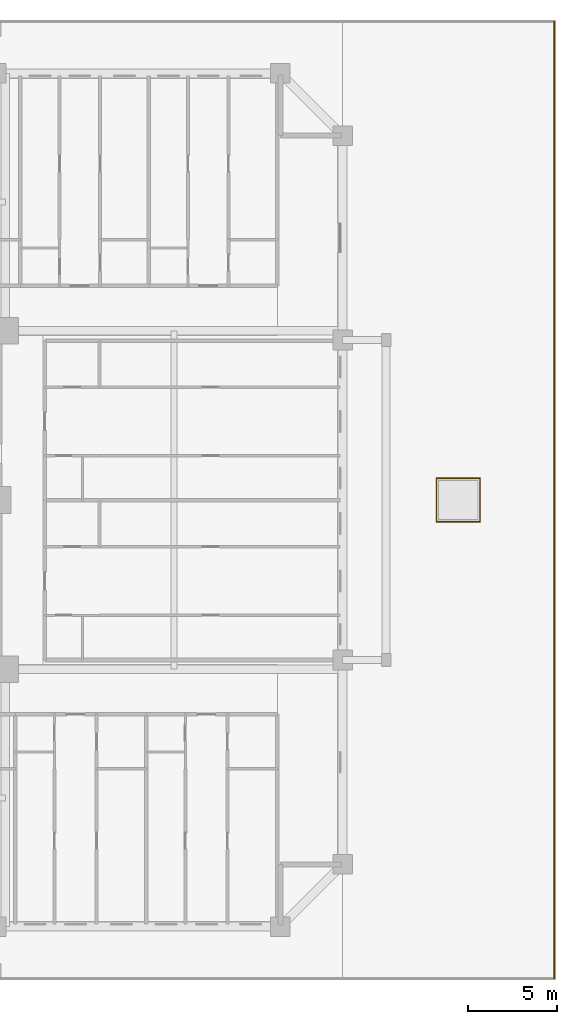
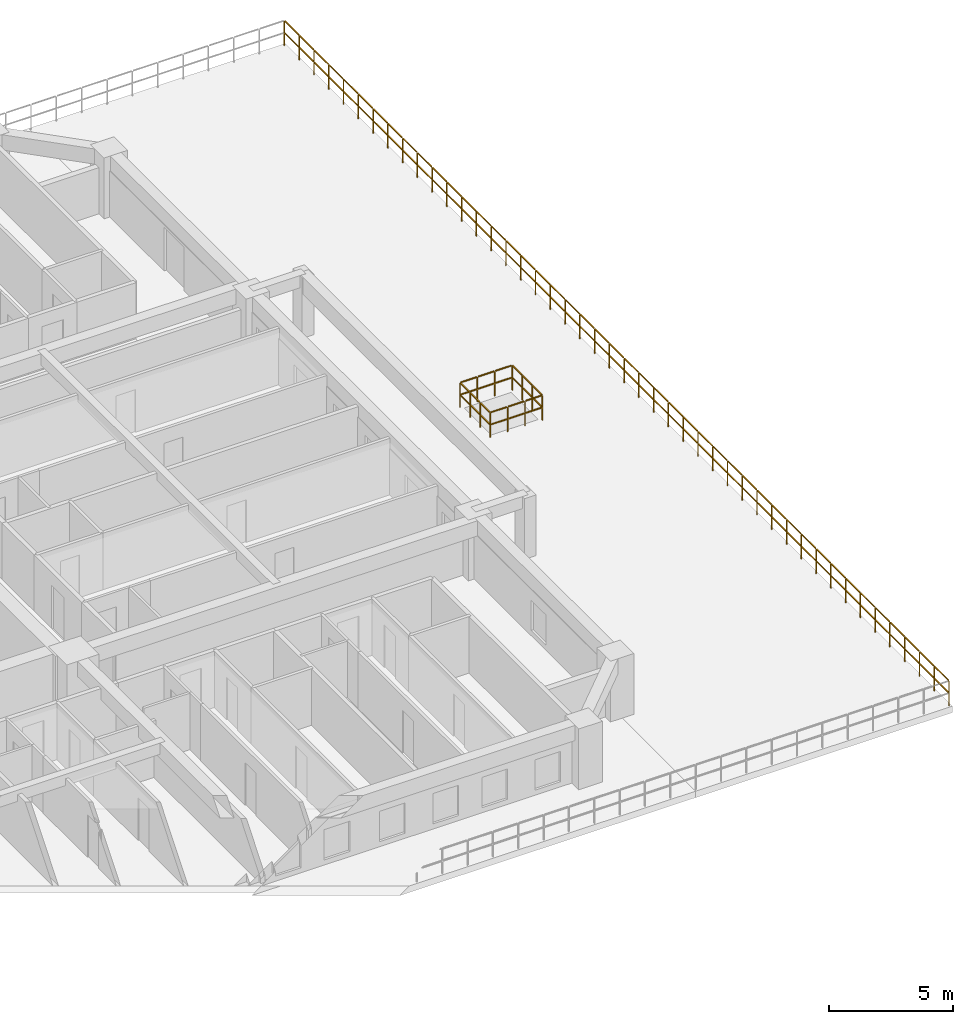
# One storey, part 19 of 19: 5 railings.
"""IFC4 building model written with IfcOpenShell, lengths in metres."""

from ifc_helpers import new_model, si_unit, direction, frame, origin, origin_2d, place, context, subcontext, project, spatial, rectangle, extrude, material, type_object, element, save


model = new_model("IFC4")

# Units and contexts
model_context = context("Model", 3, precision=1e-05, world=origin(), true_north=direction((0.0, 1.0)))
body_context = subcontext(model_context, "Body", "Model", "MODEL_VIEW")
ifc_project = project(units=[si_unit("LENGTHUNIT", "METRE"), si_unit("AREAUNIT", "SQUARE_METRE"), si_unit("VOLUMEUNIT", "CUBIC_METRE"), si_unit("PLANEANGLEUNIT", "RADIAN"), si_unit("MASSUNIT", "GRAM", prefix="KILO")], contexts=[model_context])

# Site, building, storey
site_placement = place(None, origin())
site = spatial("IfcSite", under=ifc_project, at=site_placement, CompositionType="ELEMENT")
building_placement = place(site_placement, origin())
building = spatial("IfcBuilding", under=site, at=building_placement, Name="Saelheon Loggia Tower", CompositionType="ELEMENT")
storey_placement = place(building_placement, frame((0.0, 0.0, 19.39990234375)))
storey = spatial("IfcBuildingStorey", under=building, at=storey_placement, Name="L05", CompositionType="ELEMENT", Elevation=19.39990234375)

# Railings
ifc_material = material(Name="Stainless Steel 316L Post and Laminated Glass Guardrail", Category="steel")
railing_type = type_object("IfcRailingType", Name="Guard_Terrace_1250", PredefinedType="GUARDRAIL", material=ifc_material)
railing_1_placement = place(storey_placement, frame((75.89990234375, 0.10009765625, 0.0)))
element("IfcRailing", 1, at=railing_1_placement, inside=storey, type_object=railing_type, Name="L05 Raised Garden East Perimeter Guardrail", PredefinedType="GUARDRAIL", context=body_context, shape_type="SweptSolid", body=[
    extrude(rectangle(XDim=0.048095703125, YDim=0.048095703125, at=origin_2d()), frame((0.0, 0.033203125, 1.22607421875), z_axis=(0.0, 1.0, 0.0), x_axis=(-1.0, 0.0, 0.0)), (0.0, 0.0, 1.0), 1.129150390625),
    extrude(rectangle(XDim=0.048095703125, YDim=0.048095703125, at=origin_2d()), frame((0.0, 0.033203125, 0.625), z_axis=(0.0, 1.0, 0.0), x_axis=(-1.0, 0.0, 0.0)), (0.0, 0.0, 1.0), 1.129150390625),
    extrude(rectangle(XDim=0.048095703125, YDim=0.048095703125, at=origin_2d()), frame((0.0, 1.228759765625, 1.22607421875), z_axis=(0.0, 1.0, 0.0), x_axis=(-1.0, 0.0, 0.0)), (0.0, 0.0, 1.0), 1.129150390625),
    extrude(rectangle(XDim=0.048095703125, YDim=0.048095703125, at=origin_2d()), frame((0.0, 1.228759765625, 0.625), z_axis=(0.0, 1.0, 0.0), x_axis=(-1.0, 0.0, 0.0)), (0.0, 0.0, 1.0), 1.129150390625),
    extrude(rectangle(XDim=0.048095703125, YDim=0.048095703125, at=origin_2d()), frame((0.0, 2.42431640625, 1.22607421875), z_axis=(0.0, 1.0, 0.0), x_axis=(-1.0, 0.0, 0.0)), (0.0, 0.0, 1.0), 1.129150390625),
    extrude(rectangle(XDim=0.048095703125, YDim=0.048095703125, at=origin_2d()), frame((0.0, 2.42431640625, 0.625), z_axis=(0.0, 1.0, 0.0), x_axis=(-1.0, 0.0, 0.0)), (0.0, 0.0, 1.0), 1.129150390625),
    extrude(rectangle(XDim=0.048095703125, YDim=0.048095703125, at=origin_2d()), frame((0.0, 3.619873046875, 1.22607421875), z_axis=(0.0, 1.0, 0.0), x_axis=(-1.0, 0.0, 0.0)), (0.0, 0.0, 1.0), 1.129150390625),
    extrude(rectangle(XDim=0.048095703125, YDim=0.048095703125, at=origin_2d()), frame((0.0, 3.619873046875, 0.625), z_axis=(0.0, 1.0, 0.0), x_axis=(-1.0, 0.0, 0.0)), (0.0, 0.0, 1.0), 1.129150390625),
    extrude(rectangle(XDim=0.048095703125, YDim=0.048095703125, at=origin_2d()), frame((0.0, 4.8154296875, 1.22607421875), z_axis=(0.0, 1.0, 0.0), x_axis=(-1.0, 0.0, 0.0)), (0.0, 0.0, 1.0), 1.129150390625),
    extrude(rectangle(XDim=0.048095703125, YDim=0.048095703125, at=origin_2d()), frame((0.0, 4.8154296875, 0.625), z_axis=(0.0, 1.0, 0.0), x_axis=(-1.0, 0.0, 0.0)), (0.0, 0.0, 1.0), 1.129150390625),
    extrude(rectangle(XDim=0.048095703125, YDim=0.048095703125, at=origin_2d()), frame((0.0, 6.010986328125, 1.22607421875), z_axis=(0.0, 1.0, 0.0), x_axis=(-1.0, 0.0, 0.0)), (0.0, 0.0, 1.0), 1.129150390625),
    extrude(rectangle(XDim=0.048095703125, YDim=0.048095703125, at=origin_2d()), frame((0.0, 6.010986328125, 0.625), z_axis=(0.0, 1.0, 0.0), x_axis=(-1.0, 0.0, 0.0)), (0.0, 0.0, 1.0), 1.129150390625),
    extrude(rectangle(XDim=0.048095703125, YDim=0.048095703125, at=origin_2d()), frame((0.0, 7.20654296875, 1.22607421875), z_axis=(0.0, 1.0, 0.0), x_axis=(-1.0, 0.0, 0.0)), (0.0, 0.0, 1.0), 1.129150390625),
    extrude(rectangle(XDim=0.048095703125, YDim=0.048095703125, at=origin_2d()), frame((0.0, 7.20654296875, 0.625), z_axis=(0.0, 1.0, 0.0), x_axis=(-1.0, 0.0, 0.0)), (0.0, 0.0, 1.0), 1.129150390625),
    extrude(rectangle(XDim=0.048095703125, YDim=0.048095703125, at=origin_2d()), frame((0.0, 8.402099609375, 1.22607421875), z_axis=(0.0, 1.0, 0.0), x_axis=(-1.0, 0.0, 0.0)), (0.0, 0.0, 1.0), 1.129150390625),
    extrude(rectangle(XDim=0.048095703125, YDim=0.048095703125, at=origin_2d()), frame((0.0, 8.402099609375, 0.625), z_axis=(0.0, 1.0, 0.0), x_axis=(-1.0, 0.0, 0.0)), (0.0, 0.0, 1.0), 1.129150390625),
    extrude(rectangle(XDim=0.048095703125, YDim=0.048095703125, at=origin_2d()), frame((0.0, 9.59765625, 1.22607421875), z_axis=(0.0, 1.0, 0.0), x_axis=(-1.0, 0.0, 0.0)), (0.0, 0.0, 1.0), 1.129150390625),
    extrude(rectangle(XDim=0.048095703125, YDim=0.048095703125, at=origin_2d()), frame((0.0, 9.59765625, 0.625), z_axis=(0.0, 1.0, 0.0), x_axis=(-1.0, 0.0, 0.0)), (0.0, 0.0, 1.0), 1.129150390625),
    extrude(rectangle(XDim=0.048095703125, YDim=0.048095703125, at=origin_2d()), frame((0.0, 10.793212890625, 1.22607421875), z_axis=(0.0, 1.0, 0.0), x_axis=(-1.0, 0.0, 0.0)), (0.0, 0.0, 1.0), 1.129150390625),
    extrude(rectangle(XDim=0.048095703125, YDim=0.048095703125, at=origin_2d()), frame((0.0, 10.793212890625, 0.625), z_axis=(0.0, 1.0, 0.0), x_axis=(-1.0, 0.0, 0.0)), (0.0, 0.0, 1.0), 1.129150390625),
    extrude(rectangle(XDim=0.048095703125, YDim=0.048095703125, at=origin_2d()), frame((0.0, 11.98876953125, 1.22607421875), z_axis=(0.0, 1.0, 0.0), x_axis=(-1.0, 0.0, 0.0)), (0.0, 0.0, 1.0), 1.129150390625),
    extrude(rectangle(XDim=0.048095703125, YDim=0.048095703125, at=origin_2d()), frame((0.0, 11.98876953125, 0.625), z_axis=(0.0, 1.0, 0.0), x_axis=(-1.0, 0.0, 0.0)), (0.0, 0.0, 1.0), 1.129150390625),
    extrude(rectangle(XDim=0.048095703125, YDim=0.048095703125, at=origin_2d()), frame((0.0, 13.184326171875, 1.22607421875), z_axis=(0.0, 1.0, 0.0), x_axis=(-1.0, 0.0, 0.0)), (0.0, 0.0, 1.0), 1.129150390625),
    extrude(rectangle(XDim=0.048095703125, YDim=0.048095703125, at=origin_2d()), frame((0.0, 13.184326171875, 0.625), z_axis=(0.0, 1.0, 0.0), x_axis=(-1.0, 0.0, 0.0)), (0.0, 0.0, 1.0), 1.129150390625),
    extrude(rectangle(XDim=0.048095703125, YDim=0.048095703125, at=origin_2d()), frame((0.0, 14.3798828125, 1.22607421875), z_axis=(0.0, 1.0, 0.0), x_axis=(-1.0, 0.0, 0.0)), (0.0, 0.0, 1.0), 1.129150390625),
    extrude(rectangle(XDim=0.048095703125, YDim=0.048095703125, at=origin_2d()), frame((0.0, 14.3798828125, 0.625), z_axis=(0.0, 1.0, 0.0), x_axis=(-1.0, 0.0, 0.0)), (0.0, 0.0, 1.0), 1.129150390625),
    extrude(rectangle(XDim=0.048095703125, YDim=0.048095703125, at=origin_2d()), frame((0.0, 15.575439453125, 1.22607421875), z_axis=(0.0, 1.0, 0.0), x_axis=(-1.0, 0.0, 0.0)), (0.0, 0.0, 1.0), 1.129150390625),
    extrude(rectangle(XDim=0.048095703125, YDim=0.048095703125, at=origin_2d()), frame((0.0, 15.575439453125, 0.625), z_axis=(0.0, 1.0, 0.0), x_axis=(-1.0, 0.0, 0.0)), (0.0, 0.0, 1.0), 1.129150390625),
    extrude(rectangle(XDim=0.048095703125, YDim=0.048095703125, at=origin_2d()), frame((0.0, 16.77099609375, 1.22607421875), z_axis=(0.0, 1.0, 0.0), x_axis=(-1.0, 0.0, 0.0)), (0.0, 0.0, 1.0), 1.129150390625),
    extrude(rectangle(XDim=0.048095703125, YDim=0.048095703125, at=origin_2d()), frame((0.0, 16.77099609375, 0.625), z_axis=(0.0, 1.0, 0.0), x_axis=(-1.0, 0.0, 0.0)), (0.0, 0.0, 1.0), 1.129150390625),
    extrude(rectangle(XDim=0.048095703125, YDim=0.048095703125, at=origin_2d()), frame((0.0, 17.966552734375, 1.22607421875), z_axis=(0.0, 1.0, 0.0), x_axis=(-1.0, 0.0, 0.0)), (0.0, 0.0, 1.0), 1.129150390625),
    extrude(rectangle(XDim=0.048095703125, YDim=0.048095703125, at=origin_2d()), frame((0.0, 17.966552734375, 0.625), z_axis=(0.0, 1.0, 0.0), x_axis=(-1.0, 0.0, 0.0)), (0.0, 0.0, 1.0), 1.129150390625),
    extrude(rectangle(XDim=0.048095703125, YDim=0.048095703125, at=origin_2d()), frame((0.0, 19.162109375, 1.22607421875), z_axis=(0.0, 1.0, 0.0), x_axis=(-1.0, 0.0, 0.0)), (0.0, 0.0, 1.0), 1.129150390625),
    extrude(rectangle(XDim=0.048095703125, YDim=0.048095703125, at=origin_2d()), frame((0.0, 19.162109375, 0.625), z_axis=(0.0, 1.0, 0.0), x_axis=(-1.0, 0.0, 0.0)), (0.0, 0.0, 1.0), 1.129150390625),
    extrude(rectangle(XDim=0.048095703125, YDim=0.048095703125, at=origin_2d()), frame((0.0, 20.357666015625, 1.22607421875), z_axis=(0.0, 1.0, 0.0), x_axis=(-1.0, 0.0, 0.0)), (0.0, 0.0, 1.0), 1.129150390625),
    extrude(rectangle(XDim=0.048095703125, YDim=0.048095703125, at=origin_2d()), frame((0.0, 20.357666015625, 0.625), z_axis=(0.0, 1.0, 0.0), x_axis=(-1.0, 0.0, 0.0)), (0.0, 0.0, 1.0), 1.129150390625),
    extrude(rectangle(XDim=0.048095703125, YDim=0.048095703125, at=origin_2d()), frame((0.0, 21.55322265625, 1.22607421875), z_axis=(0.0, 1.0, 0.0), x_axis=(-1.0, 0.0, 0.0)), (0.0, 0.0, 1.0), 1.129150390625),
    extrude(rectangle(XDim=0.048095703125, YDim=0.048095703125, at=origin_2d()), frame((0.0, 21.55322265625, 0.625), z_axis=(0.0, 1.0, 0.0), x_axis=(-1.0, 0.0, 0.0)), (0.0, 0.0, 1.0), 1.129150390625),
    extrude(rectangle(XDim=0.048095703125, YDim=0.048095703125, at=origin_2d()), frame((0.0, 22.748779296875, 1.22607421875), z_axis=(0.0, 1.0, 0.0), x_axis=(-1.0, 0.0, 0.0)), (0.0, 0.0, 1.0), 1.129150390625),
    extrude(rectangle(XDim=0.048095703125, YDim=0.048095703125, at=origin_2d()), frame((0.0, 22.748779296875, 0.625), z_axis=(0.0, 1.0, 0.0), x_axis=(-1.0, 0.0, 0.0)), (0.0, 0.0, 1.0), 1.129150390625),
    extrude(rectangle(XDim=0.048095703125, YDim=0.048095703125, at=origin_2d()), frame((0.0, 23.9443359375, 1.22607421875), z_axis=(0.0, 1.0, 0.0), x_axis=(-1.0, 0.0, 0.0)), (0.0, 0.0, 1.0), 1.129150390625),
    extrude(rectangle(XDim=0.048095703125, YDim=0.048095703125, at=origin_2d()), frame((0.0, 23.9443359375, 0.625), z_axis=(0.0, 1.0, 0.0), x_axis=(-1.0, 0.0, 0.0)), (0.0, 0.0, 1.0), 1.129150390625),
    extrude(rectangle(XDim=0.048095703125, YDim=0.048095703125, at=origin_2d()), frame((0.0, 25.139892578125, 1.22607421875), z_axis=(0.0, 1.0, 0.0), x_axis=(-1.0, 0.0, 0.0)), (0.0, 0.0, 1.0), 1.129150390625),
    extrude(rectangle(XDim=0.048095703125, YDim=0.048095703125, at=origin_2d()), frame((0.0, 25.139892578125, 0.625), z_axis=(0.0, 1.0, 0.0), x_axis=(-1.0, 0.0, 0.0)), (0.0, 0.0, 1.0), 1.129150390625),
    extrude(rectangle(XDim=0.048095703125, YDim=0.048095703125, at=origin_2d()), frame((0.0, 26.33544921875, 1.22607421875), z_axis=(0.0, 1.0, 0.0), x_axis=(-1.0, 0.0, 0.0)), (0.0, 0.0, 1.0), 1.129150390625),
    extrude(rectangle(XDim=0.048095703125, YDim=0.048095703125, at=origin_2d()), frame((0.0, 26.33544921875, 0.625), z_axis=(0.0, 1.0, 0.0), x_axis=(-1.0, 0.0, 0.0)), (0.0, 0.0, 1.0), 1.129150390625),
    extrude(rectangle(XDim=0.048095703125, YDim=0.048095703125, at=origin_2d()), frame((0.0, 27.531005859375, 1.22607421875), z_axis=(0.0, 1.0, 0.0), x_axis=(-1.0, 0.0, 0.0)), (0.0, 0.0, 1.0), 1.129150390625),
    extrude(rectangle(XDim=0.048095703125, YDim=0.048095703125, at=origin_2d()), frame((0.0, 27.531005859375, 0.625), z_axis=(0.0, 1.0, 0.0), x_axis=(-1.0, 0.0, 0.0)), (0.0, 0.0, 1.0), 1.129150390625),
    extrude(rectangle(XDim=0.048095703125, YDim=0.048095703125, at=origin_2d()), frame((0.0, 28.7265625, 1.22607421875), z_axis=(0.0, 1.0, 0.0), x_axis=(-1.0, 0.0, 0.0)), (0.0, 0.0, 1.0), 1.129150390625),
    extrude(rectangle(XDim=0.048095703125, YDim=0.048095703125, at=origin_2d()), frame((0.0, 28.7265625, 0.625), z_axis=(0.0, 1.0, 0.0), x_axis=(-1.0, 0.0, 0.0)), (0.0, 0.0, 1.0), 1.129150390625),
    extrude(rectangle(XDim=0.048095703125, YDim=0.048095703125, at=origin_2d()), frame((0.0, 29.922119140625, 1.22607421875), z_axis=(0.0, 1.0, 0.0), x_axis=(-1.0, 0.0, 0.0)), (0.0, 0.0, 1.0), 1.129150390625),
    extrude(rectangle(XDim=0.048095703125, YDim=0.048095703125, at=origin_2d()), frame((0.0, 29.922119140625, 0.625), z_axis=(0.0, 1.0, 0.0), x_axis=(-1.0, 0.0, 0.0)), (0.0, 0.0, 1.0), 1.129150390625),
    extrude(rectangle(XDim=0.048095703125, YDim=0.048095703125, at=origin_2d()), frame((0.0, 31.11767578125, 1.22607421875), z_axis=(0.0, 1.0, 0.0), x_axis=(-1.0, 0.0, 0.0)), (0.0, 0.0, 1.0), 1.129150390625),
    extrude(rectangle(XDim=0.048095703125, YDim=0.048095703125, at=origin_2d()), frame((0.0, 31.11767578125, 0.625), z_axis=(0.0, 1.0, 0.0), x_axis=(-1.0, 0.0, 0.0)), (0.0, 0.0, 1.0), 1.129150390625),
    extrude(rectangle(XDim=0.048095703125, YDim=0.048095703125, at=origin_2d()), frame((0.0, 32.313232421875, 1.22607421875), z_axis=(0.0, 1.0, 0.0), x_axis=(-1.0, 0.0, 0.0)), (0.0, 0.0, 1.0), 1.129150390625),
    extrude(rectangle(XDim=0.048095703125, YDim=0.048095703125, at=origin_2d()), frame((0.0, 32.313232421875, 0.625), z_axis=(0.0, 1.0, 0.0), x_axis=(-1.0, 0.0, 0.0)), (0.0, 0.0, 1.0), 1.129150390625),
    extrude(rectangle(XDim=0.048095703125, YDim=0.048095703125, at=origin_2d()), frame((0.0, 33.5087890625, 1.22607421875), z_axis=(0.0, 1.0, 0.0), x_axis=(-1.0, 0.0, 0.0)), (0.0, 0.0, 1.0), 1.129150390625),
    extrude(rectangle(XDim=0.048095703125, YDim=0.048095703125, at=origin_2d()), frame((0.0, 33.5087890625, 0.625), z_axis=(0.0, 1.0, 0.0), x_axis=(-1.0, 0.0, 0.0)), (0.0, 0.0, 1.0), 1.129150390625),
    extrude(rectangle(XDim=0.048095703125, YDim=0.048095703125, at=origin_2d()), frame((0.0, 34.7041015625, 1.22607421875), z_axis=(0.0, 1.0, 0.0), x_axis=(-1.0, 0.0, 0.0)), (0.0, 0.0, 1.0), 1.129150390625),
    extrude(rectangle(XDim=0.048095703125, YDim=0.048095703125, at=origin_2d()), frame((0.0, 34.7041015625, 0.625), z_axis=(0.0, 1.0, 0.0), x_axis=(-1.0, 0.0, 0.0)), (0.0, 0.0, 1.0), 1.129150390625),
    extrude(rectangle(XDim=0.048095703125, YDim=0.048095703125, at=origin_2d()), frame((0.0, 35.899658203125, 1.22607421875), z_axis=(0.0, 1.0, 0.0), x_axis=(-1.0, 0.0, 0.0)), (0.0, 0.0, 1.0), 1.129150390625),
    extrude(rectangle(XDim=0.048095703125, YDim=0.048095703125, at=origin_2d()), frame((0.0, 35.899658203125, 0.625), z_axis=(0.0, 1.0, 0.0), x_axis=(-1.0, 0.0, 0.0)), (0.0, 0.0, 1.0), 1.129150390625),
    extrude(rectangle(XDim=0.048095703125, YDim=0.048095703125, at=origin_2d()), frame((0.0, 37.09521484375, 1.22607421875), z_axis=(0.0, 1.0, 0.0), x_axis=(-1.0, 0.0, 0.0)), (0.0, 0.0, 1.0), 1.129150390625),
    extrude(rectangle(XDim=0.048095703125, YDim=0.048095703125, at=origin_2d()), frame((0.0, 37.09521484375, 0.625), z_axis=(0.0, 1.0, 0.0), x_axis=(-1.0, 0.0, 0.0)), (0.0, 0.0, 1.0), 1.129150390625),
    extrude(rectangle(XDim=0.048095703125, YDim=0.048095703125, at=origin_2d()), frame((0.0, 38.290771484375, 1.22607421875), z_axis=(0.0, 1.0, 0.0), x_axis=(-1.0, 0.0, 0.0)), (0.0, 0.0, 1.0), 1.129150390625),
    extrude(rectangle(XDim=0.048095703125, YDim=0.048095703125, at=origin_2d()), frame((0.0, 38.290771484375, 0.625), z_axis=(0.0, 1.0, 0.0), x_axis=(-1.0, 0.0, 0.0)), (0.0, 0.0, 1.0), 1.129150390625),
    extrude(rectangle(XDim=0.048095703125, YDim=0.048095703125, at=origin_2d()), frame((0.0, 39.486328125, 1.22607421875), z_axis=(0.0, 1.0, 0.0), x_axis=(-1.0, 0.0, 0.0)), (0.0, 0.0, 1.0), 1.129150390625),
    extrude(rectangle(XDim=0.048095703125, YDim=0.048095703125, at=origin_2d()), frame((0.0, 39.486328125, 0.625), z_axis=(0.0, 1.0, 0.0), x_axis=(-1.0, 0.0, 0.0)), (0.0, 0.0, 1.0), 1.129150390625),
    extrude(rectangle(XDim=0.048095703125, YDim=0.048095703125, at=origin_2d()), frame((0.0, 40.681884765625, 1.22607421875), z_axis=(0.0, 1.0, 0.0), x_axis=(-1.0, 0.0, 0.0)), (0.0, 0.0, 1.0), 1.129150390625),
    extrude(rectangle(XDim=0.048095703125, YDim=0.048095703125, at=origin_2d()), frame((0.0, 40.681884765625, 0.625), z_axis=(0.0, 1.0, 0.0), x_axis=(-1.0, 0.0, 0.0)), (0.0, 0.0, 1.0), 1.129150390625),
    extrude(rectangle(XDim=0.048095703125, YDim=0.048095703125, at=origin_2d()), frame((0.0, 41.87744140625, 1.22607421875), z_axis=(0.0, 1.0, 0.0), x_axis=(-1.0, 0.0, 0.0)), (0.0, 0.0, 1.0), 1.129150390625),
    extrude(rectangle(XDim=0.048095703125, YDim=0.048095703125, at=origin_2d()), frame((0.0, 41.87744140625, 0.625), z_axis=(0.0, 1.0, 0.0), x_axis=(-1.0, 0.0, 0.0)), (0.0, 0.0, 1.0), 1.129150390625),
    extrude(rectangle(XDim=0.048095703125, YDim=0.048095703125, at=origin_2d()), frame((0.0, 43.072998046875, 1.22607421875), z_axis=(0.0, 1.0, 0.0), x_axis=(-1.0, 0.0, 0.0)), (0.0, 0.0, 1.0), 1.129150390625),
    extrude(rectangle(XDim=0.048095703125, YDim=0.048095703125, at=origin_2d()), frame((0.0, 43.072998046875, 0.625), z_axis=(0.0, 1.0, 0.0), x_axis=(-1.0, 0.0, 0.0)), (0.0, 0.0, 1.0), 1.129150390625),
    extrude(rectangle(XDim=0.048095703125, YDim=0.048095703125, at=origin_2d()), frame((0.0, 44.2685546875, 1.22607421875), z_axis=(0.0, 1.0, 0.0), x_axis=(-1.0, 0.0, 0.0)), (0.0, 0.0, 1.0), 1.129150390625),
    extrude(rectangle(XDim=0.048095703125, YDim=0.048095703125, at=origin_2d()), frame((0.0, 44.2685546875, 0.625), z_axis=(0.0, 1.0, 0.0), x_axis=(-1.0, 0.0, 0.0)), (0.0, 0.0, 1.0), 1.129150390625),
    extrude(rectangle(XDim=0.048095703125, YDim=0.048095703125, at=origin_2d()), frame((0.0, 45.464111328125, 1.22607421875), z_axis=(0.0, 1.0, 0.0), x_axis=(-1.0, 0.0, 0.0)), (0.0, 0.0, 1.0), 1.129150390625),
    extrude(rectangle(XDim=0.048095703125, YDim=0.048095703125, at=origin_2d()), frame((0.0, 45.464111328125, 0.625), z_axis=(0.0, 1.0, 0.0), x_axis=(-1.0, 0.0, 0.0)), (0.0, 0.0, 1.0), 1.129150390625),
    extrude(rectangle(XDim=0.048095703125, YDim=0.048095703125, at=origin_2d()), frame((0.0, 46.65966796875, 1.22607421875), z_axis=(0.0, 1.0, 0.0), x_axis=(-1.0, 0.0, 0.0)), (0.0, 0.0, 1.0), 1.129150390625),
    extrude(rectangle(XDim=0.048095703125, YDim=0.048095703125, at=origin_2d()), frame((0.0, 46.65966796875, 0.625), z_axis=(0.0, 1.0, 0.0), x_axis=(-1.0, 0.0, 0.0)), (0.0, 0.0, 1.0), 1.129150390625),
    extrude(rectangle(XDim=0.048095703125, YDim=0.048095703125, at=origin_2d()), frame((0.0, 47.855224609375, 1.22607421875), z_axis=(0.0, 1.0, 0.0), x_axis=(-1.0, 0.0, 0.0)), (0.0, 0.0, 1.0), 1.129150390625),
    extrude(rectangle(XDim=0.048095703125, YDim=0.048095703125, at=origin_2d()), frame((0.0, 47.855224609375, 0.625), z_axis=(0.0, 1.0, 0.0), x_axis=(-1.0, 0.0, 0.0)), (0.0, 0.0, 1.0), 1.129150390625),
    extrude(rectangle(XDim=0.048095703125, YDim=0.048095703125, at=origin_2d()), frame((0.0, 49.05078125, 1.22607421875), z_axis=(0.0, 1.0, 0.0), x_axis=(-1.0, 0.0, 0.0)), (0.0, 0.0, 1.0), 1.129150390625),
    extrude(rectangle(XDim=0.048095703125, YDim=0.048095703125, at=origin_2d()), frame((0.0, 49.05078125, 0.625), z_axis=(0.0, 1.0, 0.0), x_axis=(-1.0, 0.0, 0.0)), (0.0, 0.0, 1.0), 1.129150390625),
    extrude(rectangle(XDim=0.048095703125, YDim=0.048095703125, at=origin_2d()), frame((0.0, 50.246337890625, 1.22607421875), z_axis=(0.0, 1.0, 0.0), x_axis=(-1.0, 0.0, 0.0)), (0.0, 0.0, 1.0), 1.129150390625),
    extrude(rectangle(XDim=0.048095703125, YDim=0.048095703125, at=origin_2d()), frame((0.0, 50.246337890625, 0.625), z_axis=(0.0, 1.0, 0.0), x_axis=(-1.0, 0.0, 0.0)), (0.0, 0.0, 1.0), 1.129150390625),
    extrude(rectangle(XDim=0.048095703125, YDim=0.048095703125, at=origin_2d()), frame((0.0, 51.44189453125, 1.22607421875), z_axis=(0.0, 1.0, 0.0), x_axis=(-1.0, 0.0, 0.0)), (0.0, 0.0, 1.0), 1.129150390625),
    extrude(rectangle(XDim=0.048095703125, YDim=0.048095703125, at=origin_2d()), frame((0.0, 51.44189453125, 0.625), z_axis=(0.0, 1.0, 0.0), x_axis=(-1.0, 0.0, 0.0)), (0.0, 0.0, 1.0), 1.129150390625),
    extrude(rectangle(XDim=0.048095703125, YDim=0.048095703125, at=origin_2d()), frame((0.0, 52.637451171875, 1.22607421875), z_axis=(0.0, 1.0, 0.0), x_axis=(-1.0, 0.0, 0.0)), (0.0, 0.0, 1.0), 1.129150390625),
    extrude(rectangle(XDim=0.048095703125, YDim=0.048095703125, at=origin_2d()), frame((0.0, 52.637451171875, 0.625), z_axis=(0.0, 1.0, 0.0), x_axis=(-1.0, 0.0, 0.0)), (0.0, 0.0, 1.0), 1.129150390625),
    extrude(rectangle(XDim=0.0419921875, YDim=0.0419921875, at=origin_2d()), origin(), (0.0, 0.0, 1.0), 1.197998046875),
    extrude(rectangle(XDim=0.0419921875, YDim=0.0419921875, at=origin_2d()), frame((0.0, 1.195556640625, 0.0)), (0.0, 0.0, 1.0), 1.197998046875),
    extrude(rectangle(XDim=0.0419921875, YDim=0.0419921875, at=origin_2d()), frame((0.0, 2.39111328125, 0.0)), (0.0, 0.0, 1.0), 1.197998046875),
    extrude(rectangle(XDim=0.0419921875, YDim=0.0419921875, at=origin_2d()), frame((0.0, 3.586669921875, 0.0)), (0.0, 0.0, 1.0), 1.197998046875),
    extrude(rectangle(XDim=0.0419921875, YDim=0.0419921875, at=origin_2d()), frame((0.0, 4.7822265625, 0.0)), (0.0, 0.0, 1.0), 1.197998046875),
    extrude(rectangle(XDim=0.0419921875, YDim=0.0419921875, at=origin_2d()), frame((0.0, 5.977783203125, 0.0)), (0.0, 0.0, 1.0), 1.197998046875),
    extrude(rectangle(XDim=0.0419921875, YDim=0.0419921875, at=origin_2d()), frame((0.0, 7.17333984375, 0.0)), (0.0, 0.0, 1.0), 1.197998046875),
    extrude(rectangle(XDim=0.0419921875, YDim=0.0419921875, at=origin_2d()), frame((0.0, 8.368896484375, 0.0)), (0.0, 0.0, 1.0), 1.197998046875),
    extrude(rectangle(XDim=0.0419921875, YDim=0.0419921875, at=origin_2d()), frame((0.0, 9.564453125, 0.0)), (0.0, 0.0, 1.0), 1.197998046875),
    extrude(rectangle(XDim=0.0419921875, YDim=0.0419921875, at=origin_2d()), frame((0.0, 10.760009765625, 0.0)), (0.0, 0.0, 1.0), 1.197998046875),
    extrude(rectangle(XDim=0.0419921875, YDim=0.0419921875, at=origin_2d()), frame((0.0, 11.95556640625, 0.0)), (0.0, 0.0, 1.0), 1.197998046875),
    extrude(rectangle(XDim=0.0419921875, YDim=0.0419921875, at=origin_2d()), frame((0.0, 13.151123046875, 0.0)), (0.0, 0.0, 1.0), 1.197998046875),
    extrude(rectangle(XDim=0.0419921875, YDim=0.0419921875, at=origin_2d()), frame((0.0, 14.3466796875, 0.0)), (0.0, 0.0, 1.0), 1.197998046875),
    extrude(rectangle(XDim=0.0419921875, YDim=0.0419921875, at=origin_2d()), frame((0.0, 15.542236328125, 0.0)), (0.0, 0.0, 1.0), 1.197998046875),
    extrude(rectangle(XDim=0.0419921875, YDim=0.0419921875, at=origin_2d()), frame((0.0, 16.73779296875, 0.0)), (0.0, 0.0, 1.0), 1.197998046875),
    extrude(rectangle(XDim=0.0419921875, YDim=0.0419921875, at=origin_2d()), frame((0.0, 17.933349609375, 0.0)), (0.0, 0.0, 1.0), 1.197998046875),
    extrude(rectangle(XDim=0.0419921875, YDim=0.0419921875, at=origin_2d()), frame((0.0, 19.12890625, 0.0)), (0.0, 0.0, 1.0), 1.197998046875),
    extrude(rectangle(XDim=0.0419921875, YDim=0.0419921875, at=origin_2d()), frame((0.0, 20.324462890625, 0.0)), (0.0, 0.0, 1.0), 1.197998046875),
    extrude(rectangle(XDim=0.0419921875, YDim=0.0419921875, at=origin_2d()), frame((0.0, 21.52001953125, 0.0)), (0.0, 0.0, 1.0), 1.197998046875),
    extrude(rectangle(XDim=0.0419921875, YDim=0.0419921875, at=origin_2d()), frame((0.0, 22.715576171875, 0.0)), (0.0, 0.0, 1.0), 1.197998046875),
    extrude(rectangle(XDim=0.0419921875, YDim=0.0419921875, at=origin_2d()), frame((0.0, 23.9111328125, 0.0)), (0.0, 0.0, 1.0), 1.197998046875),
    extrude(rectangle(XDim=0.0419921875, YDim=0.0419921875, at=origin_2d()), frame((0.0, 25.106689453125, 0.0)), (0.0, 0.0, 1.0), 1.197998046875),
    extrude(rectangle(XDim=0.0419921875, YDim=0.0419921875, at=origin_2d()), frame((0.0, 26.30224609375, 0.0)), (0.0, 0.0, 1.0), 1.197998046875),
    extrude(rectangle(XDim=0.0419921875, YDim=0.0419921875, at=origin_2d()), frame((0.0, 27.49755859375, 0.0)), (0.0, 0.0, 1.0), 1.197998046875),
    extrude(rectangle(XDim=0.0419921875, YDim=0.0419921875, at=origin_2d()), frame((0.0, 28.693115234375, 0.0)), (0.0, 0.0, 1.0), 1.197998046875),
    extrude(rectangle(XDim=0.0419921875, YDim=0.0419921875, at=origin_2d()), frame((0.0, 29.888671875, 0.0)), (0.0, 0.0, 1.0), 1.197998046875),
    extrude(rectangle(XDim=0.0419921875, YDim=0.0419921875, at=origin_2d()), frame((0.0, 31.084228515625, 0.0)), (0.0, 0.0, 1.0), 1.197998046875),
    extrude(rectangle(XDim=0.0419921875, YDim=0.0419921875, at=origin_2d()), frame((0.0, 32.27978515625, 0.0)), (0.0, 0.0, 1.0), 1.197998046875),
    extrude(rectangle(XDim=0.0419921875, YDim=0.0419921875, at=origin_2d()), frame((0.0, 33.475341796875, 0.0)), (0.0, 0.0, 1.0), 1.197998046875),
    extrude(rectangle(XDim=0.0419921875, YDim=0.0419921875, at=origin_2d()), frame((0.0, 34.6708984375, 0.0)), (0.0, 0.0, 1.0), 1.197998046875),
    extrude(rectangle(XDim=0.0419921875, YDim=0.0419921875, at=origin_2d()), frame((0.0, 35.866455078125, 0.0)), (0.0, 0.0, 1.0), 1.197998046875),
    extrude(rectangle(XDim=0.0419921875, YDim=0.0419921875, at=origin_2d()), frame((0.0, 37.06201171875, 0.0)), (0.0, 0.0, 1.0), 1.197998046875),
    extrude(rectangle(XDim=0.0419921875, YDim=0.0419921875, at=origin_2d()), frame((0.0, 38.257568359375, 0.0)), (0.0, 0.0, 1.0), 1.197998046875),
    extrude(rectangle(XDim=0.0419921875, YDim=0.0419921875, at=origin_2d()), frame((0.0, 39.453125, 0.0)), (0.0, 0.0, 1.0), 1.197998046875),
    extrude(rectangle(XDim=0.0419921875, YDim=0.0419921875, at=origin_2d()), frame((0.0, 40.648681640625, 0.0)), (0.0, 0.0, 1.0), 1.197998046875),
    extrude(rectangle(XDim=0.0419921875, YDim=0.0419921875, at=origin_2d()), frame((0.0, 41.84423828125, 0.0)), (0.0, 0.0, 1.0), 1.197998046875),
    extrude(rectangle(XDim=0.0419921875, YDim=0.0419921875, at=origin_2d()), frame((0.0, 43.039794921875, 0.0)), (0.0, 0.0, 1.0), 1.197998046875),
    extrude(rectangle(XDim=0.0419921875, YDim=0.0419921875, at=origin_2d()), frame((0.0, 44.2353515625, 0.0)), (0.0, 0.0, 1.0), 1.197998046875),
    extrude(rectangle(XDim=0.0419921875, YDim=0.0419921875, at=origin_2d()), frame((0.0, 45.430908203125, 0.0)), (0.0, 0.0, 1.0), 1.197998046875),
    extrude(rectangle(XDim=0.0419921875, YDim=0.0419921875, at=origin_2d()), frame((0.0, 46.62646484375, 0.0)), (0.0, 0.0, 1.0), 1.197998046875),
    extrude(rectangle(XDim=0.0419921875, YDim=0.0419921875, at=origin_2d()), frame((0.0, 47.822021484375, 0.0)), (0.0, 0.0, 1.0), 1.197998046875),
    extrude(rectangle(XDim=0.0419921875, YDim=0.0419921875, at=origin_2d()), frame((0.0, 49.017578125, 0.0)), (0.0, 0.0, 1.0), 1.197998046875),
    extrude(rectangle(XDim=0.0419921875, YDim=0.0419921875, at=origin_2d()), frame((0.0, 50.213134765625, 0.0)), (0.0, 0.0, 1.0), 1.197998046875),
    extrude(rectangle(XDim=0.0419921875, YDim=0.0419921875, at=origin_2d()), frame((0.0, 51.40869140625, 0.0)), (0.0, 0.0, 1.0), 1.197998046875),
    extrude(rectangle(XDim=0.0419921875, YDim=0.0419921875, at=origin_2d()), frame((0.0, 52.604248046875, 0.0)), (0.0, 0.0, 1.0), 1.197998046875),
    extrude(rectangle(XDim=0.0419921875, YDim=0.0419921875, at=origin_2d()), frame((0.0, 53.7998046875, 0.0)), (0.0, 0.0, 1.0), 1.197998046875),
])
for number, where, name in (
    (2, (69.280029296875, 25.780029296875, 0.0), "L05 Skylight 2 South Safety Guardrail"),
    (3, (69.280029296875, 28.219970703125, 0.0), "L05 Skylight 2 North Safety Guardrail"),
):
    element("IfcRailing", number, at=place(storey_placement, frame(where)), inside=storey, type_object=railing_type, Name=name, PredefinedType="GUARDRAIL", context=body_context, shape_type="SweptSolid", body=[
        extrude(rectangle(XDim=0.048095703125, YDim=0.048095703125, at=origin_2d()), frame((0.033203125, 0.0, 1.22607421875), z_axis=(1.0, 0.0, 0.0), x_axis=(0.0, 1.0, 0.0)), (0.0, 0.0, 1.0), 0.746826171875),
        extrude(rectangle(XDim=0.048095703125, YDim=0.048095703125, at=origin_2d()), frame((0.033203125, 0.0, 0.625), z_axis=(1.0, 0.0, 0.0), x_axis=(0.0, 1.0, 0.0)), (0.0, 0.0, 1.0), 0.746826171875),
        extrude(rectangle(XDim=0.048095703125, YDim=0.048095703125, at=origin_2d()), frame((0.846435546875, 0.0, 1.22607421875), z_axis=(1.0, 0.0, 0.0), x_axis=(0.0, 1.0, 0.0)), (0.0, 0.0, 1.0), 0.746826171875),
        extrude(rectangle(XDim=0.048095703125, YDim=0.048095703125, at=origin_2d()), frame((0.846435546875, 0.0, 0.625), z_axis=(1.0, 0.0, 0.0), x_axis=(0.0, 1.0, 0.0)), (0.0, 0.0, 1.0), 0.746826171875),
        extrude(rectangle(XDim=0.048095703125, YDim=0.048095703125, at=origin_2d()), frame((1.659912109375, 0.0, 1.22607421875), z_axis=(1.0, 0.0, 0.0), x_axis=(0.0, 1.0, 0.0)), (0.0, 0.0, 1.0), 0.746826171875),
        extrude(rectangle(XDim=0.048095703125, YDim=0.048095703125, at=origin_2d()), frame((1.659912109375, 0.0, 0.625), z_axis=(1.0, 0.0, 0.0), x_axis=(0.0, 1.0, 0.0)), (0.0, 0.0, 1.0), 0.746826171875),
        extrude(rectangle(XDim=0.0419921875, YDim=0.0419921875, at=origin_2d()), origin(), (0.0, 0.0, 1.0), 1.197998046875),
        extrude(rectangle(XDim=0.0419921875, YDim=0.0419921875, at=origin_2d()), frame((0.813232421875, 0.0, 0.0)), (0.0, 0.0, 1.0), 1.197998046875),
        extrude(rectangle(XDim=0.0419921875, YDim=0.0419921875, at=origin_2d()), frame((1.626708984375, 0.0, 0.0)), (0.0, 0.0, 1.0), 1.197998046875),
        extrude(rectangle(XDim=0.0419921875, YDim=0.0419921875, at=origin_2d()), frame((2.43994140625, 0.0, 0.0)), (0.0, 0.0, 1.0), 1.197998046875),
    ])
railing_2_placement = place(storey_placement, frame((69.280029296875, 25.780029296875, 0.0)))
element("IfcRailing", 4, at=railing_2_placement, inside=storey, type_object=railing_type, Name="L05 Skylight 2 West Safety Guardrail", PredefinedType="GUARDRAIL", context=body_context, shape_type="SweptSolid", body=[
    extrude(rectangle(XDim=0.048095703125, YDim=0.048095703125, at=origin_2d()), frame((0.0, 0.033203125, 1.22607421875), z_axis=(0.0, 1.0, 0.0), x_axis=(-1.0, 0.0, 0.0)), (0.0, 0.0, 1.0), 0.746826171875),
    extrude(rectangle(XDim=0.048095703125, YDim=0.048095703125, at=origin_2d()), frame((0.0, 0.033203125, 0.625), z_axis=(0.0, 1.0, 0.0), x_axis=(-1.0, 0.0, 0.0)), (0.0, 0.0, 1.0), 0.746826171875),
    extrude(rectangle(XDim=0.048095703125, YDim=0.048095703125, at=origin_2d()), frame((0.0, 0.846435546875, 1.22607421875), z_axis=(0.0, 1.0, 0.0), x_axis=(-1.0, 0.0, 0.0)), (0.0, 0.0, 1.0), 0.746826171875),
    extrude(rectangle(XDim=0.048095703125, YDim=0.048095703125, at=origin_2d()), frame((0.0, 0.846435546875, 0.625), z_axis=(0.0, 1.0, 0.0), x_axis=(-1.0, 0.0, 0.0)), (0.0, 0.0, 1.0), 0.746826171875),
    extrude(rectangle(XDim=0.048095703125, YDim=0.048095703125, at=origin_2d()), frame((0.0, 1.659912109375, 1.22607421875), z_axis=(0.0, 1.0, 0.0), x_axis=(-1.0, 0.0, 0.0)), (0.0, 0.0, 1.0), 0.746826171875),
    extrude(rectangle(XDim=0.048095703125, YDim=0.048095703125, at=origin_2d()), frame((0.0, 1.659912109375, 0.625), z_axis=(0.0, 1.0, 0.0), x_axis=(-1.0, 0.0, 0.0)), (0.0, 0.0, 1.0), 0.746826171875),
    extrude(rectangle(XDim=0.0419921875, YDim=0.0419921875, at=origin_2d()), origin(), (0.0, 0.0, 1.0), 1.197998046875),
    extrude(rectangle(XDim=0.0419921875, YDim=0.0419921875, at=origin_2d()), frame((0.0, 0.813232421875, 0.0)), (0.0, 0.0, 1.0), 1.197998046875),
    extrude(rectangle(XDim=0.0419921875, YDim=0.0419921875, at=origin_2d()), frame((0.0, 1.626708984375, 0.0)), (0.0, 0.0, 1.0), 1.197998046875),
    extrude(rectangle(XDim=0.0419921875, YDim=0.0419921875, at=origin_2d()), frame((0.0, 2.43994140625, 0.0)), (0.0, 0.0, 1.0), 1.197998046875),
])
railing_3_placement = place(storey_placement, frame((71.719970703125, 25.780029296875, 0.0)))
element("IfcRailing", 5, at=railing_3_placement, inside=storey, type_object=railing_type, Name="L05 Skylight 2 East Safety Guardrail", PredefinedType="GUARDRAIL", context=body_context, shape_type="SweptSolid", body=[
    extrude(rectangle(XDim=0.048095703125, YDim=0.048095703125, at=origin_2d()), frame((0.0, 0.033203125, 1.22607421875), z_axis=(0.0, 1.0, 0.0), x_axis=(-1.0, 0.0, 0.0)), (0.0, 0.0, 1.0), 0.746826171875),
    extrude(rectangle(XDim=0.048095703125, YDim=0.048095703125, at=origin_2d()), frame((0.0, 0.033203125, 0.625), z_axis=(0.0, 1.0, 0.0), x_axis=(-1.0, 0.0, 0.0)), (0.0, 0.0, 1.0), 0.746826171875),
    extrude(rectangle(XDim=0.048095703125, YDim=0.048095703125, at=origin_2d()), frame((0.0, 0.846435546875, 1.22607421875), z_axis=(0.0, 1.0, 0.0), x_axis=(-1.0, 0.0, 0.0)), (0.0, 0.0, 1.0), 0.746826171875),
    extrude(rectangle(XDim=0.048095703125, YDim=0.048095703125, at=origin_2d()), frame((0.0, 0.846435546875, 0.625), z_axis=(0.0, 1.0, 0.0), x_axis=(-1.0, 0.0, 0.0)), (0.0, 0.0, 1.0), 0.746826171875),
    extrude(rectangle(XDim=0.048095703125, YDim=0.048095703125, at=origin_2d()), frame((0.0, 1.659912109375, 1.22607421875), z_axis=(0.0, 1.0, 0.0), x_axis=(-1.0, 0.0, 0.0)), (0.0, 0.0, 1.0), 0.746826171875),
    extrude(rectangle(XDim=0.048095703125, YDim=0.048095703125, at=origin_2d()), frame((0.0, 1.659912109375, 0.625), z_axis=(0.0, 1.0, 0.0), x_axis=(-1.0, 0.0, 0.0)), (0.0, 0.0, 1.0), 0.746826171875),
    extrude(rectangle(XDim=0.0419921875, YDim=0.0419921875, at=origin_2d()), origin(), (0.0, 0.0, 1.0), 1.197998046875),
    extrude(rectangle(XDim=0.0419921875, YDim=0.0419921875, at=origin_2d()), frame((0.0, 0.813232421875, 0.0)), (0.0, 0.0, 1.0), 1.197998046875),
    extrude(rectangle(XDim=0.0419921875, YDim=0.0419921875, at=origin_2d()), frame((0.0, 1.626708984375, 0.0)), (0.0, 0.0, 1.0), 1.197998046875),
    extrude(rectangle(XDim=0.0419921875, YDim=0.0419921875, at=origin_2d()), frame((0.0, 2.43994140625, 0.0)), (0.0, 0.0, 1.0), 1.197998046875),
])

save(model, "model.ifc")
